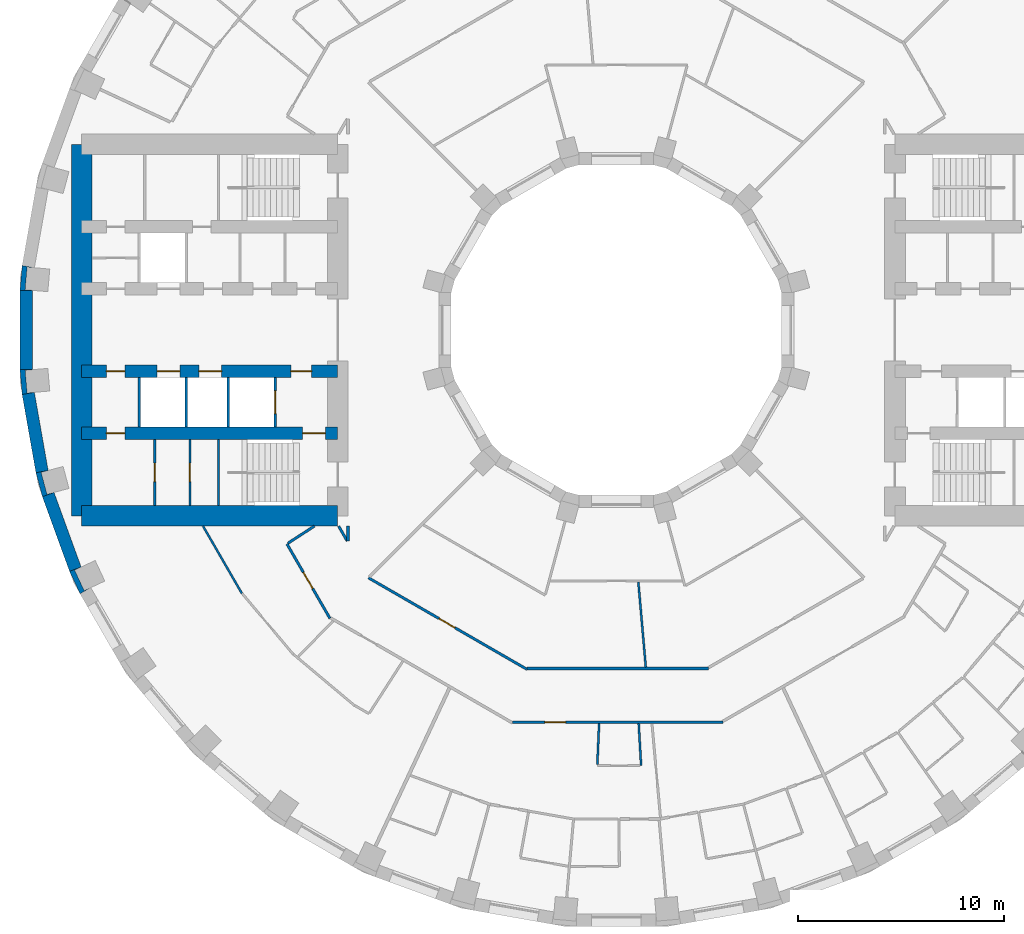
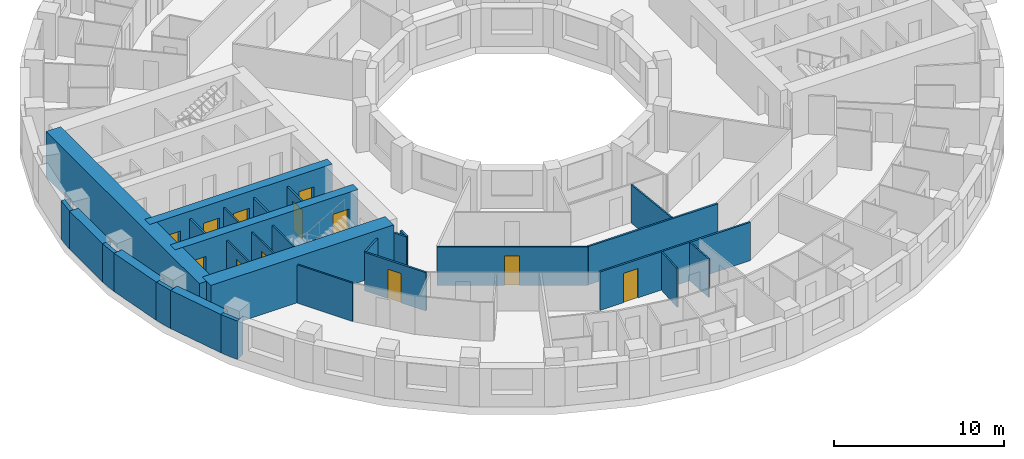
# One storey, part 5 of 15: 29 walls, 12 doors, 12 openings.
"""IFC4 building model written with IfcOpenShell, lengths in metres."""

from ifc_helpers import new_model, si_unit, direction, frame, frame_2d, origin, place, context, subcontext, project, spatial, polyline, rectangle, outline, extrude, material, layer, layer_set, type_object, element, fill, save


model = new_model("IFC4")

# Units and contexts
model_context = context("Model", 3, precision=1e-05, world=origin(), true_north=direction((0.0, 1.0)))
body_context = subcontext(model_context, "Body", "Model", "MODEL_VIEW")
ifc_project = project(units=[si_unit("LENGTHUNIT", "METRE"), si_unit("AREAUNIT", "SQUARE_METRE"), si_unit("VOLUMEUNIT", "CUBIC_METRE"), si_unit("PLANEANGLEUNIT", "RADIAN"), si_unit("MASSUNIT", "GRAM", prefix="KILO")], contexts=[model_context])

# Site, building, storey
site_placement = place(None, origin())
site = spatial("IfcSite", under=ifc_project, at=site_placement, CompositionType="ELEMENT")
building_placement = place(site_placement, origin())
building = spatial("IfcBuilding", under=site, at=building_placement, Name="Saqina Gate Tower", CompositionType="ELEMENT")
storey_placement = place(building_placement, frame((0.0, 0.0, 56.0)))
storey = spatial("IfcBuildingStorey", under=building, at=storey_placement, Name="L15", CompositionType="ELEMENT", Elevation=56.0)

# Walls
ifc_material_1 = material(Name="Brick masonry (red)", Category="masonry")
wall_type_1 = type_object("IfcWallType", Name="BRICK PIER COPING RED", PredefinedType="SOLIDWALL", material=ifc_material_1)
wall_1_placement = place(storey_placement, origin())
element("IfcWall", 1, at=wall_1_placement, inside=storey, type_object=wall_type_1, Name="Pier cap L15 column 18", PredefinedType="SOLIDWALL", context=body_context, shape_type="SweptSolid", body=[
    extrude(outline(polyline([(-28.78466796875, 3.122802734375), (-28.8896484375, 1.9228515625), (-28.28955078125, 1.9228515625), (-28.638671875, 1.95361328125), (-28.54296875, 3.04931640625), (-28.19384765625, 3.018798828125), (-28.78466796875, 3.122802734375)])), origin(), (0.0, 0.0, 1.0), 2.75),
])
wall_2_placement = place(storey_placement, origin())
element("IfcWall", 2, at=wall_2_placement, inside=storey, type_object=wall_type_1, Name="Pier cap L15 column 19", PredefinedType="SOLIDWALL", context=body_context, shape_type="SweptSolid", body=[
    extrude(outline(polyline([(-28.8896484375, -1.9228515625), (-28.78466796875, -3.122802734375), (-28.19384765625, -3.018798828125), (-28.54296875, -3.04931640625), (-28.638671875, -1.95361328125), (-28.28955078125, -1.9228515625), (-28.8896484375, -1.9228515625)])), origin(), (0.0, 0.0, 1.0), 2.75),
])
wall_3_placement = place(storey_placement, origin())
element("IfcWall", 3, at=wall_3_placement, inside=storey, type_object=wall_type_1, Name="Pier cap L15 column 20", PredefinedType="SOLIDWALL", context=body_context, shape_type="SweptSolid", body=[
    extrude(outline(polyline([(-28.11669921875, -6.910400390625), (-27.80517578125, -8.073974609375), (-27.2412109375, -7.86865234375), (-27.57958984375, -7.95947265625), (-27.864501953125, -6.896728515625), (-27.52587890625, -6.80615234375), (-28.11669921875, -6.910400390625)])), origin(), (0.0, 0.0, 1.0), 2.75),
])
wall_4_placement = place(storey_placement, origin())
element("IfcWall", 4, at=wall_4_placement, inside=storey, type_object=wall_type_1, Name="Pier cap L15 column 21", PredefinedType="SOLIDWALL", context=body_context, shape_type="SweptSolid", body=[
    extrude(outline(polyline([(-25.980712890625, -12.779541015625), (-25.4609375, -12.4794921875), (-25.778564453125, -12.627685546875), (-26.243408203125, -11.630615234375), (-25.92578125, -11.482666015625), (-26.48974609375, -11.687744140625), (-25.980712890625, -12.779541015625)])), origin(), (0.0, 0.0, 1.0), 2.75),
])

# Wall, opening, door
ifc_material_2 = material(Name="Gypsum board on steel studs", Category="steel")
ifc_layer_1 = layer(ifc_material_2, 0.10009765625)
ifc_layer_set_1 = layer_set([ifc_layer_1], Name="CORE PARTITION")
wall_type_2 = type_object("IfcWallType", Name="CORE PARTITION", PredefinedType="PARTITIONING", material=ifc_layer_set_1)
wall_5_placement = place(storey_placement, frame((-20.65771484375, -8.5, 0.0), z_axis=(0.0, 0.0, 1.0), x_axis=(0.0, 1.0, 0.0)))
wall_5 = element("IfcWall", 5, at=wall_5_placement, inside=storey, type_object=wall_type_2, Name="L15-CP-W13", PredefinedType="PARTITIONING", context=body_context, shape_type="SweptSolid", body=[
    extrude(rectangle(XDim=3.199951171875, YDim=0.10009765625, at=frame_2d((1.60009765625, 0.0))), origin(), (0.0, 0.0, 1.0), 2.75),
])
opening_1_placement = place(wall_5_placement, frame((1.14990234375, 0.0, 0.0)))
opening_1 = element("IfcOpeningElement", 6, at=opening_1_placement, cuts=wall_5, Name="Opening G04-D116", PredefinedType="OPENING", context=body_context, shape_type="SweptSolid", body=[
    extrude(rectangle(XDim=0.89990234375, YDim=2.10009765625, at=frame_2d((0.449951171875, 1.050048828125))), frame((0.0, 0.06201171875, 0.0), z_axis=(0.0, -1.0, 0.0), x_axis=(1.0, 0.0, 0.0)), (0.0, 0.0, 1.0), 0.1240234375),
])
ifc_material_3 = material(Name="Steel-framed fire door leaf, EI 60", Category="steel")
door_type_1 = type_object("IfcDoorType", Name="SERVICE ROOM DOOR 900", OperationType="SINGLE_SWING_LEFT", PredefinedType="DOOR", material=ifc_material_3)
door_1_placement = place(opening_1_placement, origin())
door_1 = element("IfcDoor", 7, at=door_1_placement, inside=storey, type_object=door_type_1, Name="L15-CD-W27", OperationType="SINGLE_SWING_LEFT", OverallHeight=2.10009765625, OverallWidth=0.89990234375, PredefinedType="DOOR", context=body_context, shape_type="SweptSolid", body=[
    extrude(rectangle(XDim=0.89990234375, YDim=2.10009765625, at=frame_2d((0.449951171875, 1.050048828125))), frame((0.0, 0.02490234375, 0.0), z_axis=(0.0, -1.0, 0.0), x_axis=(1.0, 0.0, 0.0)), (0.0, 0.0, 1.0), 0.050048828125),
])
fill(opening_1, door_1)

wall_6_placement = place(storey_placement, frame((-22.360107421875, -8.5, 0.0), z_axis=(0.0, 0.0, 1.0), x_axis=(0.0, 1.0, 0.0)))
wall_6 = element("IfcWall", 8, at=wall_6_placement, inside=storey, type_object=wall_type_2, Name="L15-CP-W14", PredefinedType="PARTITIONING", context=body_context, shape_type="SweptSolid", body=[
    extrude(rectangle(XDim=3.199951171875, YDim=0.10009765625, at=frame_2d((1.60009765625, 0.0))), origin(), (0.0, 0.0, 1.0), 2.75),
])
opening_2_placement = place(wall_6_placement, frame((1.14990234375, 0.0, 0.0)))
opening_2 = element("IfcOpeningElement", 9, at=opening_2_placement, cuts=wall_6, Name="Opening G04-D115", PredefinedType="OPENING", context=body_context, shape_type="SweptSolid", body=[
    extrude(rectangle(XDim=0.89990234375, YDim=2.10009765625, at=frame_2d((0.449951171875, 1.050048828125))), frame((0.0, 0.06201171875, 0.0), z_axis=(0.0, -1.0, 0.0), x_axis=(1.0, 0.0, 0.0)), (0.0, 0.0, 1.0), 0.1240234375),
])
door_2_placement = place(opening_2_placement, origin())
door_2 = element("IfcDoor", 10, at=door_2_placement, inside=storey, type_object=door_type_1, Name="L15-CD-W26", OperationType="SINGLE_SWING_LEFT", OverallHeight=2.10009765625, OverallWidth=0.89990234375, PredefinedType="DOOR", context=body_context, shape_type="SweptSolid", body=[
    extrude(rectangle(XDim=0.89990234375, YDim=2.10009765625, at=frame_2d((0.449951171875, 1.050048828125))), frame((0.0, 0.02490234375, 0.0), z_axis=(0.0, -1.0, 0.0), x_axis=(1.0, 0.0, 0.0)), (0.0, 0.0, 1.0), 0.050048828125),
])
fill(opening_2, door_2)

# Walls
ifc_material_4 = material(Name="Glazed ceramic tile", Category="ceramic")
ifc_layer_2 = layer(ifc_material_4, 0.60009765625)
ifc_layer_set_2 = layer_set([ifc_layer_2], Name="FW-TILE")
wall_type_3 = type_object("IfcWallType", Name="FW-TILE", PredefinedType="SOLIDWALL", material=ifc_layer_set_2)
wall_7_placement = place(storey_placement, frame((-28.589599609375, 1.9228515625, 0.0), z_axis=(0.0, 0.0, 1.0), x_axis=(0.0, -1.0, 0.0)))
element("IfcWall", 11, at=wall_7_placement, inside=storey, type_object=wall_type_3, Name="Facade wall L15 facet 18", PredefinedType="SOLIDWALL", context=body_context, shape_type="SweptSolid", body=[
    extrude(rectangle(XDim=3.845703125, YDim=0.60009765625, at=frame_2d((1.9228515625, 0.0))), origin(), (0.0, 0.0, 1.0), 2.75),
])
wall_8_placement = place(storey_placement, frame((-27.523193359375, -7.97119140625, 0.0), z_axis=(0.0, 0.0, 1.0), x_axis=(0.342028474173, -0.939689588564, 0.0)))
element("IfcWall", 12, at=wall_8_placement, inside=storey, type_object=wall_type_3, Name="Facade wall L15 facet 20", PredefinedType="SOLIDWALL", context=body_context, shape_type="SweptSolid", body=[
    extrude(rectangle(XDim=3.845947265625, YDim=0.60009765625, at=frame_2d((1.9228515625, 0.0))), origin(), (0.0, 0.0, 1.0), 2.75),
])
ifc_material_5 = material(Name="Glazed ceramic tile (dark blue)", Category="ceramic")
ifc_layer_3 = layer(ifc_material_5, 0.60009765625)
ifc_layer_set_3 = layer_set([ifc_layer_3], Name="FW-TILE-CB")
wall_type_4 = type_object("IfcWallType", Name="FW-TILE-CB", PredefinedType="SOLIDWALL", material=ifc_layer_set_3)
wall_9_placement = place(storey_placement, frame((-28.4892578125, -3.07080078125, 0.0), z_axis=(0.0, 0.0, 1.0), x_axis=(0.173687553279, -0.984800809218, 0.0)))
element("IfcWall", 13, at=wall_9_placement, inside=storey, type_object=wall_type_4, Name="Facade wall L15 facet 19", PredefinedType="SOLIDWALL", context=body_context, shape_type="SweptSolid", body=[
    extrude(rectangle(XDim=3.845703125, YDim=0.60009765625, at=frame_2d((1.9228515625, 0.0))), origin(), (0.0, 0.0, 1.0), 2.75),
])
ifc_material_6 = material(Name="Gypsum board on steel studs, 100 mm", Category="steel")
ifc_layer_4 = layer(ifc_material_6, 0.10009765625)
ifc_layer_set_4 = layer_set([ifc_layer_4], Name="PARTITION 100")
wall_type_5 = type_object("IfcWallType", Name="PARTITION 100", PredefinedType="PARTITIONING", material=ifc_layer_set_4)
wall_10_placement = place(storey_placement, frame((1.08544921875, -19.0625, 0.0), z_axis=(0.0, 0.0, 1.0), x_axis=(0.057060010535, -0.998370750372, 0.0)))
element("IfcWall", 14, at=wall_10_placement, inside=storey, type_object=wall_type_5, Name="PARTITION PW3-02", PredefinedType="PARTITIONING", context=body_context, shape_type="SweptSolid", body=[
    extrude(rectangle(XDim=2.041015625, YDim=0.10009765625, at=frame_2d((1.0205078125, 0.0))), origin(), (0.0, 0.0, 1.0), 2.75),
])
wall_11_placement = place(storey_placement, frame((1.0673828125, -12.19970703125, 0.0), z_axis=(0.0, 0.0, 1.0), x_axis=(0.08728141995, -0.996183694773, 0.0)))
element("IfcWall", 15, at=wall_11_placement, inside=storey, type_object=wall_type_5, Name="PARTITION PW3-05", PredefinedType="PARTITIONING", context=body_context, shape_type="SweptSolid", body=[
    extrude(rectangle(XDim=4.15380859375, YDim=0.10009765625, at=frame_2d((2.076904296875, 0.0))), origin(), (0.0, 0.0, 1.0), 2.75),
])
wall_12_placement = place(storey_placement, frame((-20.02197265625, -9.5, 0.0), z_axis=(0.0, 0.0, 1.0), x_axis=(0.500001120693, -0.866024756751, 0.0)))
element("IfcWall", 16, at=wall_12_placement, inside=storey, type_object=wall_type_5, Name="PARTITION PW3-16", PredefinedType="PARTITIONING", context=body_context, shape_type="SweptSolid", body=[
    extrude(rectangle(XDim=3.7666015625, YDim=0.10009765625, at=frame_2d((1.88330078125, 0.0))), origin(), (0.0, 0.0, 1.0), 2.75),
])
wall_13_placement = place(storey_placement, frame((-0.9189453125, -21.050048828125, 0.0), z_axis=(0.0, 0.0, 1.0), x_axis=(0.043320061376, 0.999061245511, 0.0)))
element("IfcWall", 17, at=wall_13_placement, inside=storey, type_object=wall_type_5, Name="PARTITION PW3-113", PredefinedType="PARTITIONING", context=body_context, shape_type="SweptSolid", body=[
    extrude(rectangle(XDim=1.989501953125, YDim=0.10009765625, at=frame_2d((0.99462890625, 0.0))), origin(), (0.0, 0.0, 1.0), 2.75),
])

# Wall, opening, door
ifc_material_7 = material(Name="Gypsum board on steel studs, 125 mm, fire rated", Category="steel")
ifc_layer_5 = layer(ifc_material_7, 0.125)
ifc_layer_set_5 = layer_set([ifc_layer_5], Name="PARTITION EI 30 125")
wall_type_6 = type_object("IfcWallType", Name="PARTITION EI 30 125", PredefinedType="PARTITIONING", material=ifc_layer_set_5)
wall_14_placement = place(storey_placement, frame((-15.95703125, -10.362060546875, 0.0), z_axis=(0.0, 0.0, 1.0), x_axis=(0.500063859158, -0.865988531543, 0.0)))
wall_14 = element("IfcWall", 18, at=wall_14_placement, inside=storey, type_object=wall_type_6, Name="PARTITION PW1-02", PredefinedType="PARTITIONING", context=body_context, shape_type="SweptSolid", body=[
    extrude(rectangle(XDim=4.16796875, YDim=0.125, at=frame_2d((2.083984375, 0.0))), origin(), (0.0, 0.0, 1.0), 2.75),
])
opening_3_placement = place(wall_14_placement, frame((1.597900390625, 0.0, 0.0)))
opening_3 = element("IfcOpeningElement", 19, at=opening_3_placement, cuts=wall_14, Name="Opening G04-D37", PredefinedType="OPENING", context=body_context, shape_type="SweptSolid", body=[
    extrude(rectangle(XDim=0.89990234375, YDim=2.10009765625, at=frame_2d((0.449951171875, 1.050048828125))), frame((0.0, 0.074462890625, 0.0), z_axis=(0.0, -1.0, 0.0), x_axis=(1.0, 0.0, 0.0)), (0.0, 0.0, 1.0), 0.14892578125),
])
ifc_material_8 = material(Name="Fire door leaf EI 30, 900 mm")
door_type_2 = type_object("IfcDoorType", Name="DOOR 900 EI 30", OperationType="SINGLE_SWING_LEFT", PredefinedType="DOOR", material=ifc_material_8)
door_3_placement = place(opening_3_placement, frame((0.89990234375, 0.0, 0.0), z_axis=(0.0, 0.0, 1.0), x_axis=(-1.0, 0.0, 0.0)))
door_3 = element("IfcDoor", 20, at=door_3_placement, inside=storey, type_object=door_type_2, Name="DOOR G04-D37", OperationType="SINGLE_SWING_RIGHT", OverallHeight=2.10009765625, OverallWidth=0.89990234375, PredefinedType="DOOR", context=body_context, shape_type="SweptSolid", body=[
    extrude(rectangle(XDim=0.89990234375, YDim=2.10009765625, at=frame_2d((0.449951171875, 1.050048828125))), frame((0.0, 0.02490234375, 0.0), z_axis=(0.0, -1.0, 0.0), x_axis=(1.0, 0.0, 0.0)), (0.0, 0.0, 1.0), 0.050048828125),
])
fill(opening_3, door_3)

# Wall
wall_15_placement = place(storey_placement, frame((-13.451904296875, -9.5, 0.0), z_axis=(0.0, 0.0, 1.0), x_axis=(0.49991670217, -0.866073490468, 0.0)))
element("IfcWall", 21, at=wall_15_placement, inside=storey, type_object=wall_type_6, Name="PARTITION PW1-03", PredefinedType="PARTITIONING", context=body_context, shape_type="SweptSolid", body=[
    extrude(rectangle(XDim=0.834228515625, YDim=0.125, at=frame_2d((0.4169921875, 0.0))), origin(), (0.0, 0.0, 1.0), 2.75),
])

# Wall, opening, door
wall_16_placement = place(storey_placement, frame((-12.006103515625, -12.006103515625, 0.0), z_axis=(0.0, 0.0, 1.0), x_axis=(0.866073188118, -0.499917225971, 0.0)))
wall_16 = element("IfcWall", 22, at=wall_16_placement, inside=storey, type_object=wall_type_6, Name="PARTITION PW1-11", PredefinedType="PARTITIONING", context=body_context, shape_type="SweptSolid", body=[
    extrude(rectangle(XDim=8.861328125, YDim=0.125, at=frame_2d((4.4306640625, 0.0))), origin(), (0.0, 0.0, 1.0), 2.75),
])
opening_4_placement = place(wall_16_placement, frame((3.944580078125, 0.0, 0.0)))
opening_4 = element("IfcOpeningElement", 23, at=opening_4_placement, cuts=wall_16, Name="Opening G04-D41", PredefinedType="OPENING", context=body_context, shape_type="SweptSolid", body=[
    extrude(rectangle(XDim=0.89990234375, YDim=2.10009765625, at=frame_2d((0.449951171875, 1.050048828125))), frame((0.0, 0.074462890625, 0.0), z_axis=(0.0, -1.0, 0.0), x_axis=(1.0, 0.0, 0.0)), (0.0, 0.0, 1.0), 0.14892578125),
])
door_4_placement = place(opening_4_placement, origin())
door_4 = element("IfcDoor", 24, at=door_4_placement, inside=storey, type_object=door_type_2, Name="DOOR G04-D41", OperationType="SINGLE_SWING_LEFT", OverallHeight=2.10009765625, OverallWidth=0.89990234375, PredefinedType="DOOR", context=body_context, shape_type="SweptSolid", body=[
    extrude(rectangle(XDim=0.89990234375, YDim=2.10009765625, at=frame_2d((0.449951171875, 1.050048828125))), frame((0.0, 0.02490234375, 0.0), z_axis=(0.0, -1.0, 0.0), x_axis=(1.0, 0.0, 0.0)), (0.0, 0.0, 1.0), 0.050048828125),
])
fill(opening_4, door_4)

wall_17_placement = place(storey_placement, frame((-5.028564453125, -19.0, 0.0), z_axis=(0.0, 0.0, 1.0), x_axis=(1.0, 0.0, 0.0)))
wall_17 = element("IfcWall", 25, at=wall_17_placement, inside=storey, type_object=wall_type_6, Name="PARTITION PW1-22", PredefinedType="PARTITIONING", context=body_context, shape_type="SweptSolid", body=[
    extrude(rectangle(XDim=10.191650390625, YDim=0.125, at=frame_2d((5.095703125, 0.0))), origin(), (0.0, 0.0, 1.0), 2.75),
])
opening_5_placement = place(wall_17_placement, frame((1.568115234375, 0.0, 0.0)))
opening_5 = element("IfcOpeningElement", 26, at=opening_5_placement, cuts=wall_17, Name="Opening G04-D45", PredefinedType="OPENING", context=body_context, shape_type="SweptSolid", body=[
    extrude(rectangle(XDim=1.0, YDim=2.10009765625, at=frame_2d((0.5, 1.050048828125))), frame((0.0, 0.074462890625, 0.0), z_axis=(0.0, -1.0, 0.0), x_axis=(1.0, 0.0, 0.0)), (0.0, 0.0, 1.0), 0.14892578125),
])
ifc_material_9 = material(Name="Fire door leaf EI 30, 1000 mm")
door_type_3 = type_object("IfcDoorType", Name="DOOR 1000 EI 30", OperationType="SINGLE_SWING_LEFT", PredefinedType="DOOR", material=ifc_material_9)
door_5_placement = place(opening_5_placement, frame((1.0, 0.0, 0.0), z_axis=(0.0, 0.0, 1.0), x_axis=(-1.0, 0.0, 0.0)))
door_5 = element("IfcDoor", 27, at=door_5_placement, inside=storey, type_object=door_type_3, Name="DOOR G04-D45", OperationType="SINGLE_SWING_RIGHT", OverallHeight=2.10009765625, OverallWidth=1.0, PredefinedType="DOOR", context=body_context, shape_type="SweptSolid", body=[
    extrude(rectangle(XDim=1.0, YDim=2.10009765625, at=frame_2d((0.5, 1.050048828125))), frame((0.0, 0.02490234375, 0.0), z_axis=(0.0, -1.0, 0.0), x_axis=(1.0, 0.0, 0.0)), (0.0, 0.0, 1.0), 0.050048828125),
])
fill(opening_5, door_5)

# Walls
wall_18_placement = place(storey_placement, frame((-4.33154296875, -16.39990234375, 0.0), z_axis=(0.0, 0.0, 1.0), x_axis=(1.0, 0.0, 0.0)))
element("IfcWall", 28, at=wall_18_placement, inside=storey, type_object=wall_type_6, Name="PARTITION PW1-23", PredefinedType="PARTITIONING", context=body_context, shape_type="SweptSolid", body=[
    extrude(rectangle(XDim=8.797607421875, YDim=0.125, at=frame_2d((4.39892578125, 0.0))), origin(), (0.0, 0.0, 1.0), 2.75),
])
wall_19_placement = place(storey_placement, frame((-15.904541015625, -10.327880859375, 0.0), z_axis=(0.0, 0.0, 1.0), x_axis=(0.83882853689, 0.544395706908, 0.0)))
element("IfcWall", 29, at=wall_19_placement, inside=storey, type_object=wall_type_6, Name="PARTITION PW1-37", PredefinedType="PARTITIONING", context=body_context, shape_type="SweptSolid", body=[
    extrude(rectangle(XDim=1.520751953125, YDim=0.125, at=frame_2d((0.76025390625, 0.0))), origin(), (0.0, 0.0, 1.0), 2.75),
])
wall_20_placement = place(storey_placement, frame((-13.0, -10.220458984375, 0.0), z_axis=(0.0, 0.0, 1.0), x_axis=(0.0, 1.0, 0.0)))
element("IfcWall", 30, at=wall_20_placement, inside=storey, type_object=wall_type_6, Name="PARTITION PW1-54", PredefinedType="PARTITIONING", context=body_context, shape_type="SweptSolid", body=[
    extrude(rectangle(XDim=0.720458984375, YDim=0.125, at=frame_2d((0.3603515625, 0.0))), origin(), (0.0, 0.0, 1.0), 2.75),
])

# Wall, opening, door
ifc_material_10 = material(Name="Autoclaved aerated concrete block", Category="concrete")
ifc_layer_6 = layer(ifc_material_10, 0.1201171875)
ifc_layer_set_6 = layer_set([ifc_layer_6], Name="SHAFT PARTITION")
wall_type_7 = type_object("IfcWallType", Name="SHAFT PARTITION", PredefinedType="PARTITIONING", material=ifc_layer_set_6)
wall_21_placement = place(storey_placement, frame((-16.530029296875, -4.699951171875, 0.0), z_axis=(0.0, 0.0, 1.0), x_axis=(0.0, 1.0, 0.0)))
wall_21 = element("IfcWall", 31, at=wall_21_placement, inside=storey, type_object=wall_type_7, Name="L15-CP-W05", PredefinedType="PARTITIONING", context=body_context, shape_type="SweptSolid", body=[
    extrude(rectangle(XDim=2.39990234375, YDim=0.1201171875, at=frame_2d((1.199951171875, 0.0))), origin(), (0.0, 0.0, 1.0), 2.75),
])
opening_6_placement = place(wall_21_placement, frame((0.64990234375, 0.0, 0.0)))
opening_6 = element("IfcOpeningElement", 32, at=opening_6_placement, cuts=wall_21, Name="Opening G04-LD6", PredefinedType="OPENING", context=body_context, shape_type="SweptSolid", body=[
    extrude(rectangle(XDim=1.10009765625, YDim=2.10009765625, at=frame_2d((0.550048828125, 1.050048828125))), frame((0.0, 0.072021484375, 0.0), z_axis=(0.0, -1.0, 0.0), x_axis=(1.0, 0.0, 0.0)), (0.0, 0.0, 1.0), 0.14404296875),
])
ifc_material_11 = material(Name="Stainless steel", Category="steel")
door_type_4 = type_object("IfcDoorType", Name="LANDING DOOR", OperationType="DOUBLE_DOOR_SLIDING", PredefinedType="DOOR", material=ifc_material_11)
door_6_placement = place(opening_6_placement, origin())
door_6 = element("IfcDoor", 33, at=door_6_placement, inside=storey, type_object=door_type_4, Name="LANDING DOOR FF2", OperationType="DOUBLE_DOOR_SLIDING", OverallHeight=2.10009765625, OverallWidth=1.10009765625, PredefinedType="DOOR", context=body_context, shape_type="SweptSolid", body=[
    extrude(rectangle(XDim=1.10009765625, YDim=2.10009765625, at=frame_2d((0.550048828125, 1.050048828125))), frame((0.0, 0.02490234375, 0.0), z_axis=(0.0, -1.0, 0.0), x_axis=(1.0, 0.0, 0.0)), (0.0, 0.0, 1.0), 0.050048828125),
])
fill(opening_6, door_6)

# Walls
for number, where, z_axis, x_axis, name in (
    (34, (-18.81005859375, -4.699951171875, 0.0), (0.0, 0.0, 1.0), (0.0, 1.0, 0.0), "L15-CP-W06"),
    (35, (-20.840087890625, -4.699951171875, 0.0), (0.0, 0.0, 1.0), (0.0, 1.0, 0.0), "L15-CP-W07"),
    (36, (-23.1201171875, -4.699951171875, 0.0), (0.0, 0.0, 1.0), (0.0, 1.0, 0.0), "L15-CP-W08"),
):
    element("IfcWall", number, at=place(storey_placement, frame(where, z_axis=z_axis, x_axis=x_axis)), inside=storey, type_object=wall_type_7, Name=name, PredefinedType="PARTITIONING", context=body_context, shape_type="SweptSolid", body=[
        extrude(rectangle(XDim=2.39990234375, YDim=0.1201171875, at=frame_2d((1.199951171875, 0.0))), origin(), (0.0, 0.0, 1.0), 2.75),
    ])
ifc_material_12 = material(Name="Autoclaved aerated concrete block", Category="concrete")
ifc_layer_7 = layer(ifc_material_12, 0.10009765625)
ifc_layer_set_7 = layer_set([ifc_layer_7], Name="STAIR ENCLOSURE WALL")
wall_type_8 = type_object("IfcWallType", Name="STAIR ENCLOSURE WALL", PredefinedType="PARTITIONING", material=ifc_layer_set_7)
wall_22_placement = place(storey_placement, frame((-19.27001953125, -8.5, 0.0), z_axis=(0.0, 0.0, 1.0), x_axis=(0.0, 1.0, 0.0)))
element("IfcWall", 37, at=wall_22_placement, inside=storey, type_object=wall_type_8, Name="L15-CP-W12", PredefinedType="PARTITIONING", context=body_context, shape_type="SweptSolid", body=[
    extrude(rectangle(XDim=3.199951171875, YDim=0.10009765625, at=frame_2d((1.60009765625, 0.0))), origin(), (0.0, 0.0, 1.0), 2.75),
])

# Wall, openings, doors
ifc_material_13 = material(Name="Concrete C70/85", Category="concrete")
ifc_layer_8 = layer(ifc_material_13, 0.60009765625)
ifc_layer_set_8 = layer_set([ifc_layer_8], Name="Concrete C70/85")
wall_type_9 = type_object("IfcWallType", Name="STR-CORE WALL-A-I", PredefinedType="SHEAR", material=ifc_layer_set_8)
wall_23_placement = place(storey_placement, frame((-13.5, -5.0, 0.0), z_axis=(0.0, 0.0, 1.0), x_axis=(-1.0, 0.0, 0.0)))
wall_23 = element("IfcWall", 38, at=wall_23_placement, inside=storey, type_object=wall_type_9, Name="CORE WALL L15 W-X2", PredefinedType="SHEAR", context=body_context, shape_type="SweptSolid", body=[
    extrude(rectangle(XDim=12.39990234375, YDim=0.60009765625, at=frame_2d((6.199951171875, 0.0))), origin(), (0.0, 0.0, 1.0), 3.300048828125),
])
opening_7_placement = place(wall_23_placement, frame((10.31005859375, 0.0, 0.0)))
opening_7 = element("IfcOpeningElement", 39, at=opening_7_placement, cuts=wall_23, Name="Opening G04-D117", PredefinedType="OPENING", context=body_context, shape_type="SweptSolid", body=[
    extrude(rectangle(XDim=0.89990234375, YDim=2.10009765625, at=frame_2d((0.449951171875, 1.050048828125))), frame((0.0, 0.31201171875, 0.0), z_axis=(0.0, -1.0, 0.0), x_axis=(1.0, 0.0, 0.0)), (0.0, 0.0, 1.0), 0.6240234375),
])
opening_8_placement = place(wall_23_placement, frame((0.60009765625, 0.0, 0.0)))
opening_8 = element("IfcOpeningElement", 40, at=opening_8_placement, cuts=wall_23, Name="Opening G04-D118", PredefinedType="OPENING", context=body_context, shape_type="SweptSolid", body=[
    extrude(rectangle(XDim=1.10009765625, YDim=2.10009765625, at=frame_2d((0.550048828125, 1.050048828125))), frame((0.0, 0.31201171875, 0.0), z_axis=(0.0, -1.0, 0.0), x_axis=(1.0, 0.0, 0.0)), (0.0, 0.0, 1.0), 0.6240234375),
])
ifc_material_14 = material(Name="Steel", Category="steel")
door_type_5 = type_object("IfcDoorType", Name="FIRE LOBBY DOOR EI 60 WIDE", OperationType="SINGLE_SWING_LEFT", PredefinedType="DOOR", material=ifc_material_14)
door_7_placement = place(opening_8_placement, origin())
door_7 = element("IfcDoor", 41, at=door_7_placement, inside=storey, type_object=door_type_5, Name="L15-CD-W29", OperationType="SINGLE_SWING_LEFT", OverallHeight=2.10009765625, OverallWidth=1.10009765625, PredefinedType="DOOR", context=body_context, shape_type="SweptSolid", body=[
    extrude(rectangle(XDim=1.10009765625, YDim=2.10009765625, at=frame_2d((0.550048828125, 1.050048828125))), frame((0.0, 0.02490234375, 0.0), z_axis=(0.0, -1.0, 0.0), x_axis=(1.0, 0.0, 0.0)), (0.0, 0.0, 1.0), 0.050048828125),
])
fill(opening_8, door_7)
door_8_placement = place(opening_7_placement, origin())
door_8 = element("IfcDoor", 42, at=door_8_placement, inside=storey, type_object=door_type_1, Name="L15-CD-W28", OperationType="SINGLE_SWING_RIGHT", OverallHeight=2.10009765625, OverallWidth=0.89990234375, PredefinedType="DOOR", context=body_context, shape_type="SweptSolid", body=[
    extrude(rectangle(XDim=0.89990234375, YDim=2.10009765625, at=frame_2d((0.449951171875, 1.050048828125))), frame((0.0, 0.02490234375, 0.0), z_axis=(0.0, -1.0, 0.0), x_axis=(1.0, 0.0, 0.0)), (0.0, 0.0, 1.0), 0.050048828125),
])
fill(opening_7, door_8)

wall_24_placement = place(storey_placement, frame((-13.5, -2.0, 0.0), z_axis=(0.0, 0.0, 1.0), x_axis=(-1.0, 0.0, 0.0)))
wall_24 = element("IfcWall", 43, at=wall_24_placement, inside=storey, type_object=wall_type_9, Name="CORE WALL L15 W-L2", PredefinedType="SHEAR", context=body_context, shape_type="SweptSolid", body=[
    extrude(rectangle(XDim=12.39990234375, YDim=0.60009765625, at=frame_2d((6.199951171875, 0.0))), origin(), (0.0, 0.0, 1.0), 3.300048828125),
])
opening_9_placement = place(wall_24_placement, frame((5.6201171875, 0.0, 0.0)))
opening_9 = element("IfcOpeningElement", 44, at=opening_9_placement, cuts=wall_24, Name="Opening G04-LD7", PredefinedType="OPENING", context=body_context, shape_type="SweptSolid", body=[
    extrude(rectangle(XDim=1.10009765625, YDim=2.10009765625, at=frame_2d((0.550048828125, 1.050048828125))), frame((0.0, 0.31201171875, 0.0), z_axis=(0.0, -1.0, 0.0), x_axis=(1.0, 0.0, 0.0)), (0.0, 0.0, 1.0), 0.6240234375),
])
opening_10_placement = place(wall_24_placement, frame((7.64990234375, 0.0, 0.0)))
opening_10 = element("IfcOpeningElement", 45, at=opening_10_placement, cuts=wall_24, Name="Opening G04-LD8", PredefinedType="OPENING", context=body_context, shape_type="SweptSolid", body=[
    extrude(rectangle(XDim=1.10009765625, YDim=2.10009765625, at=frame_2d((0.550048828125, 1.050048828125))), frame((0.0, 0.31201171875, 0.0), z_axis=(0.0, -1.0, 0.0), x_axis=(1.0, 0.0, 0.0)), (0.0, 0.0, 1.0), 0.6240234375),
])
opening_11_placement = place(wall_24_placement, frame((1.264892578125, 0.0, 0.0)))
opening_11 = element("IfcOpeningElement", 46, at=opening_11_placement, cuts=wall_24, Name="Opening G04-D110", PredefinedType="OPENING", context=body_context, shape_type="SweptSolid", body=[
    extrude(rectangle(XDim=1.0, YDim=2.10009765625, at=frame_2d((0.5, 1.050048828125))), frame((0.0, 0.31201171875, 0.0), z_axis=(0.0, -1.0, 0.0), x_axis=(1.0, 0.0, 0.0)), (0.0, 0.0, 1.0), 0.6240234375),
])
opening_12_placement = place(wall_24_placement, frame((10.31005859375, 0.0, 0.0)))
opening_12 = element("IfcOpeningElement", 47, at=opening_12_placement, cuts=wall_24, Name="Opening G04-D111", PredefinedType="OPENING", context=body_context, shape_type="SweptSolid", body=[
    extrude(rectangle(XDim=0.89990234375, YDim=2.10009765625, at=frame_2d((0.449951171875, 1.050048828125))), frame((0.0, 0.31201171875, 0.0), z_axis=(0.0, -1.0, 0.0), x_axis=(1.0, 0.0, 0.0)), (0.0, 0.0, 1.0), 0.6240234375),
])
ifc_material_15 = material(Name="Steel", Category="steel")
door_type_6 = type_object("IfcDoorType", Name="FIRE LOBBY DOOR EI 60", OperationType="SINGLE_SWING_LEFT", PredefinedType="DOOR", material=ifc_material_15)
door_9_placement = place(opening_11_placement, frame((1.0, 0.0, 0.0), z_axis=(0.0, 0.0, 1.0), x_axis=(-1.0, 0.0, 0.0)))
door_9 = element("IfcDoor", 48, at=door_9_placement, inside=storey, type_object=door_type_6, Name="L15-CD-W21", OperationType="SINGLE_SWING_RIGHT", OverallHeight=2.10009765625, OverallWidth=1.0, PredefinedType="DOOR", context=body_context, shape_type="SweptSolid", body=[
    extrude(rectangle(XDim=1.0, YDim=2.10009765625, at=frame_2d((0.5, 1.050048828125))), frame((0.0, 0.02490234375, 0.0), z_axis=(0.0, -1.0, 0.0), x_axis=(1.0, 0.0, 0.0)), (0.0, 0.0, 1.0), 0.050048828125),
])
fill(opening_11, door_9)
door_10_placement = place(opening_9_placement, origin())
door_10 = element("IfcDoor", 49, at=door_10_placement, inside=storey, type_object=door_type_4, Name="LANDING DOOR LR6", OperationType="DOUBLE_DOOR_SLIDING", OverallHeight=2.10009765625, OverallWidth=1.10009765625, PredefinedType="DOOR", context=body_context, shape_type="SweptSolid", body=[
    extrude(rectangle(XDim=1.10009765625, YDim=2.10009765625, at=frame_2d((0.550048828125, 1.050048828125))), frame((0.0, 0.02490234375, 0.0), z_axis=(0.0, -1.0, 0.0), x_axis=(1.0, 0.0, 0.0)), (0.0, 0.0, 1.0), 0.050048828125),
])
fill(opening_9, door_10)
door_11_placement = place(opening_10_placement, origin())
door_11 = element("IfcDoor", 50, at=door_11_placement, inside=storey, type_object=door_type_4, Name="LANDING DOOR LR5", OperationType="DOUBLE_DOOR_SLIDING", OverallHeight=2.10009765625, OverallWidth=1.10009765625, PredefinedType="DOOR", context=body_context, shape_type="SweptSolid", body=[
    extrude(rectangle(XDim=1.10009765625, YDim=2.10009765625, at=frame_2d((0.550048828125, 1.050048828125))), frame((0.0, 0.02490234375, 0.0), z_axis=(0.0, -1.0, 0.0), x_axis=(1.0, 0.0, 0.0)), (0.0, 0.0, 1.0), 0.050048828125),
])
fill(opening_10, door_11)
door_12_placement = place(opening_12_placement, origin())
door_12 = element("IfcDoor", 51, at=door_12_placement, inside=storey, type_object=door_type_1, Name="L15-CD-W22", OperationType="SINGLE_SWING_RIGHT", OverallHeight=2.10009765625, OverallWidth=0.89990234375, PredefinedType="DOOR", context=body_context, shape_type="SweptSolid", body=[
    extrude(rectangle(XDim=0.89990234375, YDim=2.10009765625, at=frame_2d((0.449951171875, 1.050048828125))), frame((0.0, 0.02490234375, 0.0), z_axis=(0.0, -1.0, 0.0), x_axis=(1.0, 0.0, 0.0)), (0.0, 0.0, 1.0), 0.050048828125),
])
fill(opening_12, door_12)

# Walls
ifc_material_16 = material(Name="Concrete C70/85", Category="concrete")
ifc_layer_9 = layer(ifc_material_16, 1.0)
ifc_layer_set_9 = layer_set([ifc_layer_9], Name="Concrete C70/85")
wall_type_10 = type_object("IfcWallType", Name="STR-CORE WALL-A-O", PredefinedType="SHEAR", material=ifc_layer_set_9)
wall_25_placement = place(storey_placement, frame((-25.89990234375, -9.0, 0.0), z_axis=(0.0, 0.0, 1.0), x_axis=(0.0, 1.0, 0.0)))
element("IfcWall", 52, at=wall_25_placement, inside=storey, type_object=wall_type_10, Name="CORE WALL L15 W-W2", PredefinedType="SHEAR", context=body_context, shape_type="SweptSolid", body=[
    extrude(rectangle(XDim=18.0, YDim=1.0, at=frame_2d((9.0, 0.0))), origin(), (0.0, 0.0, 1.0), 3.300048828125),
])
wall_26_placement = place(storey_placement, frame((-13.5, -9.0, 0.0), z_axis=(0.0, 0.0, 1.0), x_axis=(-1.0, 0.0, 0.0)))
element("IfcWall", 53, at=wall_26_placement, inside=storey, type_object=wall_type_10, Name="CORE WALL L15 W-SE", PredefinedType="SHEAR", context=body_context, shape_type="SweptSolid", body=[
    extrude(rectangle(XDim=12.39990234375, YDim=1.0, at=frame_2d((6.199951171875, 0.0))), origin(), (0.0, 0.0, 1.0), 3.300048828125),
])

save(model, "model.ifc")
